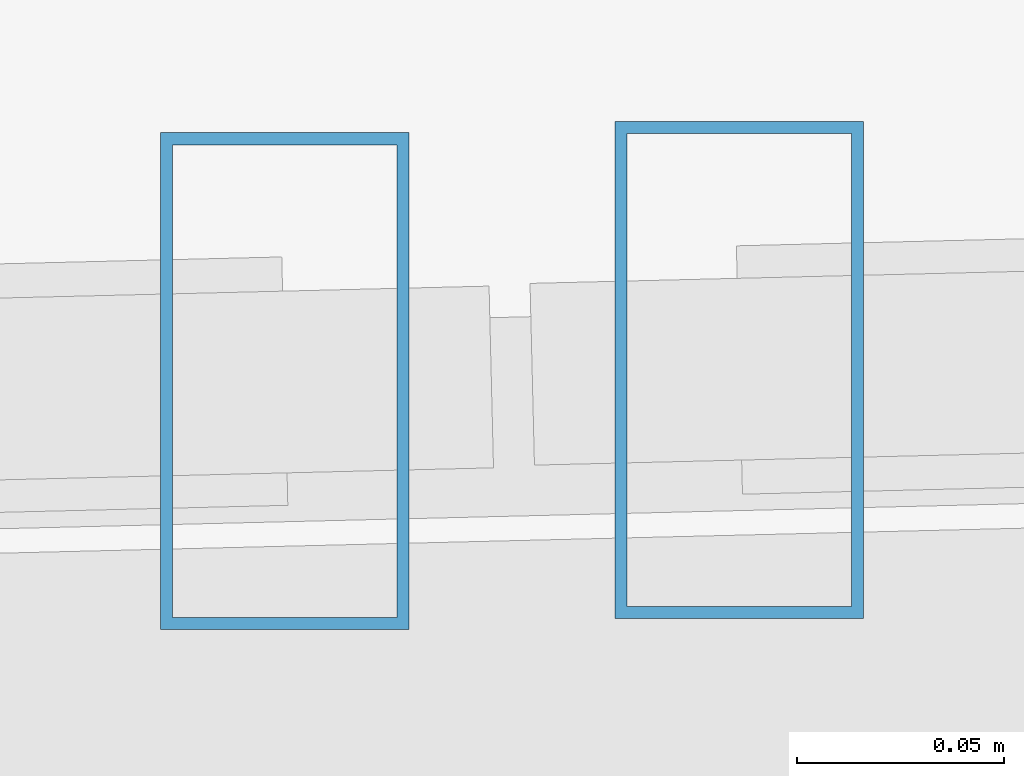
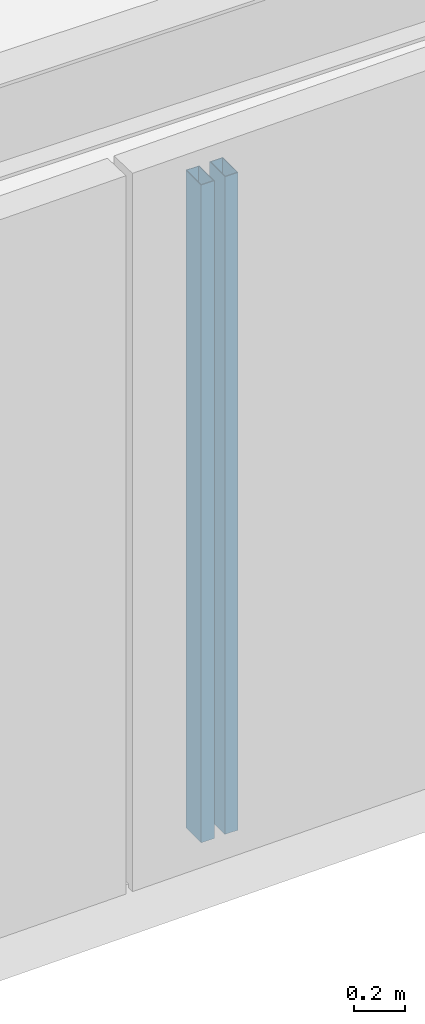
# One storey, part 15 of 44: 2 members, 2 elements without a shape of their own.
"""IFC4 building model written with IfcOpenShell, lengths in metres."""

from ifc_helpers import new_model, si_unit, direction, frame, origin, origin_2d, place, context, subcontext, project, spatial, hollow_rectangle, extrude, source, transform, mapped, material, material_profile, profile_set, type_object, type_shapes, element, aggregate, save


model = new_model("IFC4")

# Units and contexts
model_context = context("Model", 3, precision=1e-05, world=origin(), true_north=direction((0.0, 1.0)))
body_context = subcontext(model_context, "Body", "Model", "MODEL_VIEW")
ifc_project = project(units=[si_unit("LENGTHUNIT", "METRE"), si_unit("AREAUNIT", "SQUARE_METRE"), si_unit("VOLUMEUNIT", "CUBIC_METRE"), si_unit("PLANEANGLEUNIT", "RADIAN"), si_unit("MASSUNIT", "GRAM", prefix="KILO")], contexts=[model_context])

# Site, building, storey
site_placement = place(None, origin())
site = spatial("IfcSite", under=ifc_project, at=site_placement, CompositionType="ELEMENT")
building_placement = place(site_placement, origin())
building = spatial("IfcBuilding", under=site, at=building_placement, Name="Caelisora Broadcast Tower", CompositionType="ELEMENT")
storey_placement = place(building_placement, frame((0.0, 0.0, 289.800048828125)))
storey = spatial("IfcBuildingStorey", under=building, at=storey_placement, Name="L76", CompositionType="ELEMENT", Elevation=289.800048828125)

# Curtain wall, member
ifc_material_1 = material(Name="Unitised Aluminium Insulated Shadow-Box Spandrel Curtain Wall", Category="aluminium")
curtain_wall_type = type_object("IfcCurtainWallType", Name="CW-SP3", PredefinedType="NOTDEFINED", material=ifc_material_1)
curtain_wall_1_placement = place(storey_placement, origin())
curtain_wall_1 = element("IfcCurtainWall", 1, at=curtain_wall_1_placement, inside=storey, type_object=curtain_wall_type, Name="L76 curtain wall CW-SP3", PredefinedType="NOTDEFINED")
ifc_material_2 = material(Name="Aluminium 6063-T6 Anodised Terracotta Bronze", Category="aluminium")
ifc_material_profile = material_profile(ifc_material_2, hollow_rectangle(XDim=0.06005859375, YDim=0.1201171875, WallThickness=0.0029296875, at=origin_2d()), Name="Aluminium 6063-T6 Anodised Terracotta Bronze")
ifc_profile_set = profile_set([ifc_material_profile], Name="Aluminium 6063-T6 Anodised Terracotta Bronze")
member_type = type_object("IfcMemberType", Name="CWM-04", PredefinedType="MULLION", material=ifc_profile_set)
shared_shape = source(origin(), body_context, "Body", "SweptSolid", [
    extrude(hollow_rectangle(XDim=0.06005859375, YDim=0.1201171875, WallThickness=0.0029296875, at=origin_2d()), origin(), (0.0, 0.0, 1.0), 3.14990234375),
])
type_shapes(member_type, [shared_shape])
member_1_placement = place(storey_placement, frame((45.032958984375, 9.038330078125, 0.0), z_axis=(0.0, 0.0, 1.0), x_axis=(1.0, 0.0, 0.0)))
member_1 = element("IfcMember", 2, at=member_1_placement, type_object=member_type, Name="L76-CW-B05 mullion #3", PredefinedType="MULLION", context=body_context, shape_type="MappedRepresentation", body=[
    mapped(shared_shape, transform((0.0, 0.0, 0.0), scale=1.0)),
])
aggregate(curtain_wall_1, [member_1])

curtain_wall_2_placement = place(storey_placement, origin())
curtain_wall_2 = element("IfcCurtainWall", 3, at=curtain_wall_2_placement, inside=storey, type_object=curtain_wall_type, Name="L76 curtain wall CW-SP3", PredefinedType="NOTDEFINED")
member_2_placement = place(storey_placement, frame((44.923095703125, 9.03564453125, 0.0), z_axis=(0.0, 0.0, 1.0), x_axis=(1.0, 0.0, 0.0)))
member_2 = element("IfcMember", 4, at=member_2_placement, type_object=member_type, Name="L76-CW-B06 mullion #0", PredefinedType="MULLION", context=body_context, shape_type="MappedRepresentation", body=[
    mapped(shared_shape, transform((0.0, 0.0, 0.0), scale=1.0)),
])
aggregate(curtain_wall_2, [member_2])

save(model, "model.ifc")
